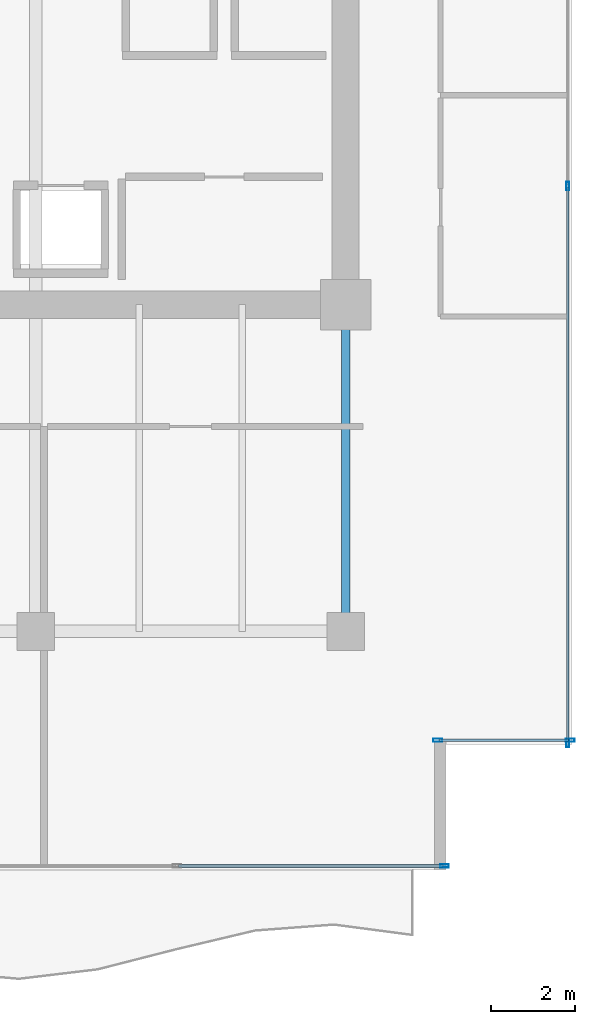
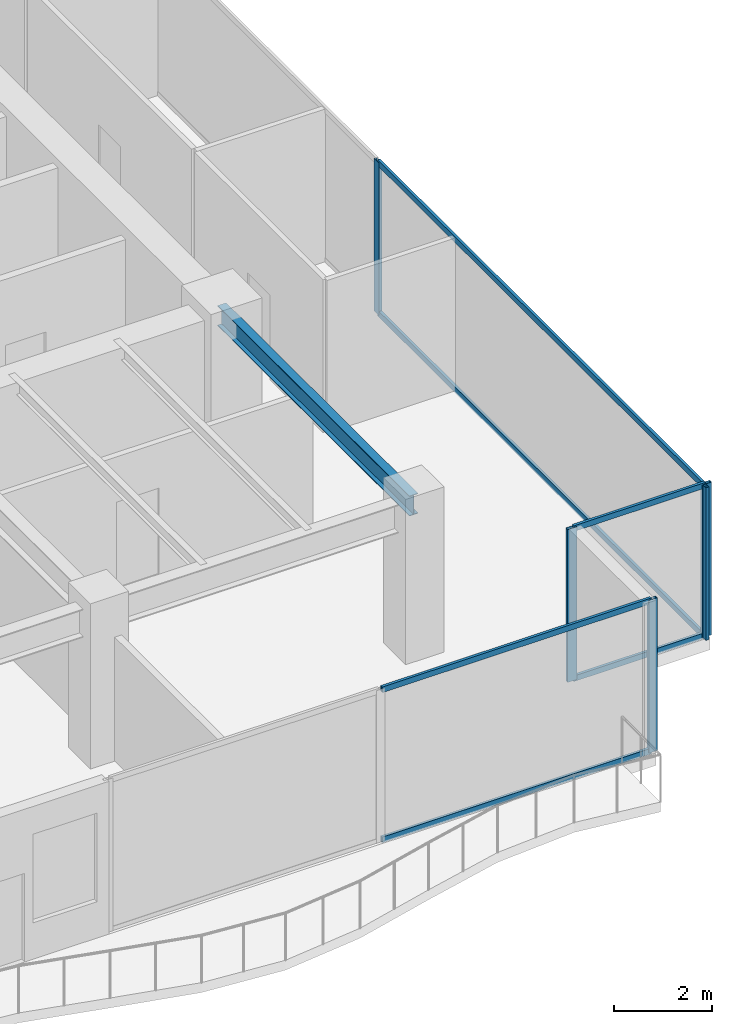
# One storey, part 19 of 30: 11 members, 1 beam, 3 elements without a shape of their own.
"""IFC4 building model written with IfcOpenShell, lengths in metres."""

from ifc_helpers import new_model, si_unit, direction, frame, origin, origin_2d, place, context, subcontext, project, spatial, hollow_rectangle, i_section, extrude, source, transform, mapped, material, layer, layer_set, material_profile, profile_set, type_object, type_shapes, element, aggregate, save


model = new_model("IFC4")

# Units and contexts
model_context = context("Model", 3, precision=1e-05, world=origin(), true_north=direction((0.0, 1.0)))
body_context = subcontext(model_context, "Body", "Model", "MODEL_VIEW")
ifc_project = project(units=[si_unit("LENGTHUNIT", "METRE"), si_unit("AREAUNIT", "SQUARE_METRE"), si_unit("VOLUMEUNIT", "CUBIC_METRE"), si_unit("PLANEANGLEUNIT", "RADIAN"), si_unit("MASSUNIT", "GRAM", prefix="KILO")], contexts=[model_context])

# Site, building, storey
site_placement = place(None, origin())
site = spatial("IfcSite", under=ifc_project, at=site_placement, CompositionType="ELEMENT")
building_placement = place(site_placement, origin())
building = spatial("IfcBuilding", under=site, at=building_placement, Name="Haelvirn Gate Laboratories", CompositionType="ELEMENT")
storey_placement = place(building_placement, frame((0.0, 0.0, 146.10009765625)))
storey = spatial("IfcBuildingStorey", under=building, at=storey_placement, Name="L35", CompositionType="ELEMENT", Elevation=146.10009765625)

# Beam
ifc_material_1 = material(Name="Steel SM355", Category="steel")
ifc_material_profile_1 = material_profile(ifc_material_1, i_section(OverallWidth=0.199951171875, OverallDepth=0.5, WebThickness=0.010009765625, FlangeThickness=0.01611328125, at=origin_2d()), Name="H-500x200x10x16")
ifc_profile_set_1 = profile_set([ifc_material_profile_1], Name="Steel SM355")
beam_type = type_object("IfcBeamType", Name="BM-SP-500", PredefinedType="SPANDREL", material=ifc_profile_set_1)
shared_shape_1 = source(origin(), body_context, "Body", "SweptSolid", [
    extrude(i_section(OverallWidth=0.199951171875, OverallDepth=0.5, WebThickness=0.010009765625, FlangeThickness=0.01611328125, at=origin_2d()), origin(), (0.0, 0.0, 1.0), 7.800048828125),
])
type_shapes(beam_type, [shared_shape_1])
beam_placement = place(storey_placement, frame((67.39990234375, 7.0, 3.539794921875), z_axis=(0.0, 1.0, 0.0), x_axis=(-1.0, 0.0, 0.0)))
element("IfcBeam", 1, at=beam_placement, inside=storey, type_object=beam_type, Name="L35 Perimeter Spandrel X67.4 (7.0-14.8)", PredefinedType="SPANDREL", context=body_context, shape_type="MappedRepresentation", body=[
    mapped(shared_shape_1, transform((0.0, 0.0, 0.0), scale=1.0)),
])

# Curtain wall, members
ifc_material_2 = material(Name="Anodised bronze unitised aluminium & triple low-E glass", Category="aluminium")
ifc_layer_1 = layer(ifc_material_2, 0.181884765625, Name="CW-SYS-5")
ifc_layer_set_1 = layer_set([ifc_layer_1], Name="Anodised bronze unitised aluminium & triple low-E glass")
curtain_wall_type_1 = type_object("IfcCurtainWallType", Name="CW-SYS-5", PredefinedType="NOTDEFINED", material=ifc_layer_set_1)
curtain_wall_1_placement = place(storey_placement, origin())
curtain_wall_1 = element("IfcCurtainWall", 2, at=curtain_wall_1_placement, inside=storey, type_object=curtain_wall_type_1, Name="L35 Unitised Curtain Wall CW-L35-P0-E06-1", PredefinedType="NOTDEFINED")
ifc_material_3 = material(Name="Extruded aluminium 6063-T6 (anodised bronze)", Category="aluminium")
ifc_material_profile_2 = material_profile(ifc_material_3, hollow_rectangle(XDim=0.06494140625, YDim=0.139892578125, WallThickness=0.00390625, at=origin_2d()), Name="CWT-140x65x4")
ifc_profile_set_2 = profile_set([ifc_material_profile_2], Name="Extruded aluminium 6063-T6 (anodised bronze)")
member_type_1 = type_object("IfcMemberType", Name="CWT-T140", PredefinedType="USERDEFINED", material=ifc_profile_set_2)
shared_shape_2 = source(origin(), body_context, "Body", "SweptSolid", [
    extrude(hollow_rectangle(XDim=0.06494140625, YDim=0.139892578125, WallThickness=0.00390625, at=origin_2d()), origin(), (0.0, 0.0, 1.0), 3.080078125),
])
member_1_placement = place(storey_placement, frame((69.639892578125, 4.39990234375, 0.032470703125), z_axis=(1.0, 0.0, 0.0), x_axis=(0.0, 1.0, 0.0)))
member_1 = element("IfcMember", 3, at=member_1_placement, type_object=member_type_1, Name="CW5 transom 1.1", ObjectType="TRANSOM", PredefinedType="USERDEFINED", context=body_context, shape_type="MappedRepresentation", body=[
    mapped(shared_shape_2, transform((0.0, 0.0, 0.0), scale=1.0)),
])
member_2_placement = place(storey_placement, frame((69.639892578125, 4.39990234375, 3.75732421875), z_axis=(1.0, 0.0, 0.0), x_axis=(0.0, 1.0, 0.0)))
member_2 = element("IfcMember", 4, at=member_2_placement, type_object=member_type_1, Name="CW5 transom 1.2", ObjectType="TRANSOM", PredefinedType="USERDEFINED", context=body_context, shape_type="MappedRepresentation", body=[
    mapped(shared_shape_2, transform((0.0, 0.0, 0.0), scale=1.0)),
])

ifc_layer_2 = layer(ifc_material_2, 0.179931640625, Name="CW-SYS-3")
ifc_layer_set_2 = layer_set([ifc_layer_2], Name="Anodised bronze unitised aluminium & triple low-E glass")
curtain_wall_type_2 = type_object("IfcCurtainWallType", Name="CW-SYS-3", PredefinedType="NOTDEFINED", material=ifc_layer_set_2)
curtain_wall_2_placement = place(storey_placement, origin())
curtain_wall_2 = element("IfcCurtainWall", 5, at=curtain_wall_2_placement, inside=storey, type_object=curtain_wall_type_2, Name="L35 Unitised Curtain Wall CW-L35-P0-E07", PredefinedType="NOTDEFINED")
shared_shape_3 = source(origin(), body_context, "Body", "SweptSolid", [
    extrude(hollow_rectangle(XDim=0.06494140625, YDim=0.139892578125, WallThickness=0.00390625, at=origin_2d()), origin(), (0.0, 0.0, 1.0), 13.220947265625),
])
member_3_placement = place(storey_placement, frame((72.699951171875, 4.375, 0.032470703125), z_axis=(0.0, 1.0, 0.0), x_axis=(-1.0, 0.0, 0.0)))
member_3 = element("IfcMember", 6, at=member_3_placement, type_object=member_type_1, Name="CW3 transom 1.1", ObjectType="TRANSOM", PredefinedType="USERDEFINED", context=body_context, shape_type="MappedRepresentation", body=[
    mapped(shared_shape_3, transform((0.0, 0.0, 0.0), scale=1.0)),
])
member_4_placement = place(storey_placement, frame((72.699951171875, 4.375, 3.75732421875), z_axis=(0.0, 1.0, 0.0), x_axis=(-1.0, 0.0, 0.0)))
member_4 = element("IfcMember", 7, at=member_4_placement, type_object=member_type_1, Name="CW3 transom 1.2", ObjectType="TRANSOM", PredefinedType="USERDEFINED", context=body_context, shape_type="MappedRepresentation", body=[
    mapped(shared_shape_3, transform((0.0, 0.0, 0.0), scale=1.0)),
])

# Curtain wall, member
curtain_wall_3_placement = place(storey_placement, origin())
curtain_wall_3 = element("IfcCurtainWall", 8, at=curtain_wall_3_placement, inside=storey, type_object=curtain_wall_type_2, Name="L35 Unitised Curtain Wall CW-L35-P0-E04-2", PredefinedType="NOTDEFINED")
ifc_material_profile_3 = material_profile(ifc_material_3, hollow_rectangle(XDim=0.074951171875, YDim=0.199951171875, WallThickness=0.0048828125, at=origin_2d()), Name="CWM-200x75x5")
ifc_profile_set_3 = profile_set([ifc_material_profile_3], Name="Extruded aluminium 6063-T6 (anodised bronze)")
member_type_2 = type_object("IfcMemberType", Name="CWM-T200", PredefinedType="MULLION", material=ifc_profile_set_3)
shared_shape_4 = source(origin(), body_context, "Body", "SweptSolid", [
    extrude(hollow_rectangle(XDim=0.074951171875, YDim=0.199951171875, WallThickness=0.0048828125, at=origin_2d()), origin(), (0.0, 0.0, 1.0), 3.789794921875),
])
type_shapes(member_type_2, [shared_shape_4])
member_5_placement = place(storey_placement, frame((69.762451171875, 1.39990234375, 0.0), z_axis=(0.0, 0.0, 1.0), x_axis=(0.0, 1.0, 0.0)))
member_5 = element("IfcMember", 9, at=member_5_placement, type_object=member_type_2, Name="CW3 mullion 3", PredefinedType="MULLION", context=body_context, shape_type="MappedRepresentation", body=[
    mapped(shared_shape_4, transform((0.0, 0.0, 0.0), scale=1.0)),
])

# Member
member_6_placement = place(storey_placement, frame((72.699951171875, 4.33740234375, 0.0), z_axis=(0.0, 0.0, 1.0), x_axis=(-1.0, 0.0, 0.0)))
member_6 = element("IfcMember", 10, at=member_6_placement, type_object=member_type_2, Name="CW3 mullion 1", PredefinedType="MULLION", context=body_context, shape_type="MappedRepresentation", body=[
    mapped(shared_shape_4, transform((0.0, 0.0, 0.0), scale=1.0)),
])

member_7_placement = place(storey_placement, frame((72.699951171875, 17.63330078125, 0.0), z_axis=(0.0, 0.0, 1.0), x_axis=(-1.0, 0.0, 0.0)))
member_7 = element("IfcMember", 11, at=member_7_placement, type_object=member_type_2, Name="CW3 mullion 2", PredefinedType="MULLION", context=body_context, shape_type="MappedRepresentation", body=[
    mapped(shared_shape_4, transform((0.0, 0.0, 0.0), scale=1.0)),
])

aggregate(curtain_wall_2, [member_6, member_7, member_3, member_4])

ifc_material_profile_4 = material_profile(ifc_material_3, hollow_rectangle(XDim=0.080078125, YDim=0.219970703125, WallThickness=0.006103515625, at=origin_2d()), Name="CWM-220x80x6")
ifc_profile_set_4 = profile_set([ifc_material_profile_4], Name="Extruded aluminium 6063-T6 (anodised bronze)")
member_type_3 = type_object("IfcMemberType", Name="CWM-T220", PredefinedType="MULLION", material=ifc_profile_set_4)
shared_shape_5 = source(origin(), body_context, "Body", "SweptSolid", [
    extrude(hollow_rectangle(XDim=0.080078125, YDim=0.219970703125, WallThickness=0.006103515625, at=origin_2d()), origin(), (0.0, 0.0, 1.0), 3.789794921875),
])
type_shapes(member_type_3, [shared_shape_5])
member_8_placement = place(storey_placement, frame((69.60009765625, 4.39990234375, 0.0), z_axis=(0.0, 0.0, 1.0), x_axis=(0.0, 1.0, 0.0)))
member_8 = element("IfcMember", 12, at=member_8_placement, type_object=member_type_3, Name="CW5 mullion 1", PredefinedType="MULLION", context=body_context, shape_type="MappedRepresentation", body=[
    mapped(shared_shape_5, transform((0.0, 0.0, 0.0), scale=1.0)),
])

member_9_placement = place(storey_placement, frame((72.760009765625, 4.39990234375, 0.0), z_axis=(0.0, 0.0, 1.0), x_axis=(0.0, 1.0, 0.0)))
member_9 = element("IfcMember", 13, at=member_9_placement, type_object=member_type_3, Name="CW5 mullion 2", PredefinedType="MULLION", context=body_context, shape_type="MappedRepresentation", body=[
    mapped(shared_shape_5, transform((0.0, 0.0, 0.0), scale=1.0)),
])

aggregate(curtain_wall_1, [member_8, member_9, member_1, member_2])

shared_shape_6 = source(origin(), body_context, "Body", "SweptSolid", [
    extrude(hollow_rectangle(XDim=0.06494140625, YDim=0.139892578125, WallThickness=0.00390625, at=origin_2d()), origin(), (0.0, 0.0, 1.0), 6.315185546875),
])
type_shapes(member_type_1, [shared_shape_2, shared_shape_3, shared_shape_6])
member_10_placement = place(storey_placement, frame((63.409912109375, 1.39990234375, 0.032470703125), z_axis=(1.0, 0.0, 0.0), x_axis=(0.0, 1.0, 0.0)))
member_10 = element("IfcMember", 14, at=member_10_placement, type_object=member_type_1, Name="CW3 transom 2.1", ObjectType="TRANSOM", PredefinedType="USERDEFINED", context=body_context, shape_type="MappedRepresentation", body=[
    mapped(shared_shape_6, transform((0.0, 0.0, 0.0), scale=1.0)),
])

member_11_placement = place(storey_placement, frame((63.409912109375, 1.39990234375, 3.75732421875), z_axis=(1.0, 0.0, 0.0), x_axis=(0.0, 1.0, 0.0)))
member_11 = element("IfcMember", 15, at=member_11_placement, type_object=member_type_1, Name="CW3 transom 2.2", ObjectType="TRANSOM", PredefinedType="USERDEFINED", context=body_context, shape_type="MappedRepresentation", body=[
    mapped(shared_shape_6, transform((0.0, 0.0, 0.0), scale=1.0)),
])

aggregate(curtain_wall_3, [member_5, member_10, member_11])

save(model, "model.ifc")
